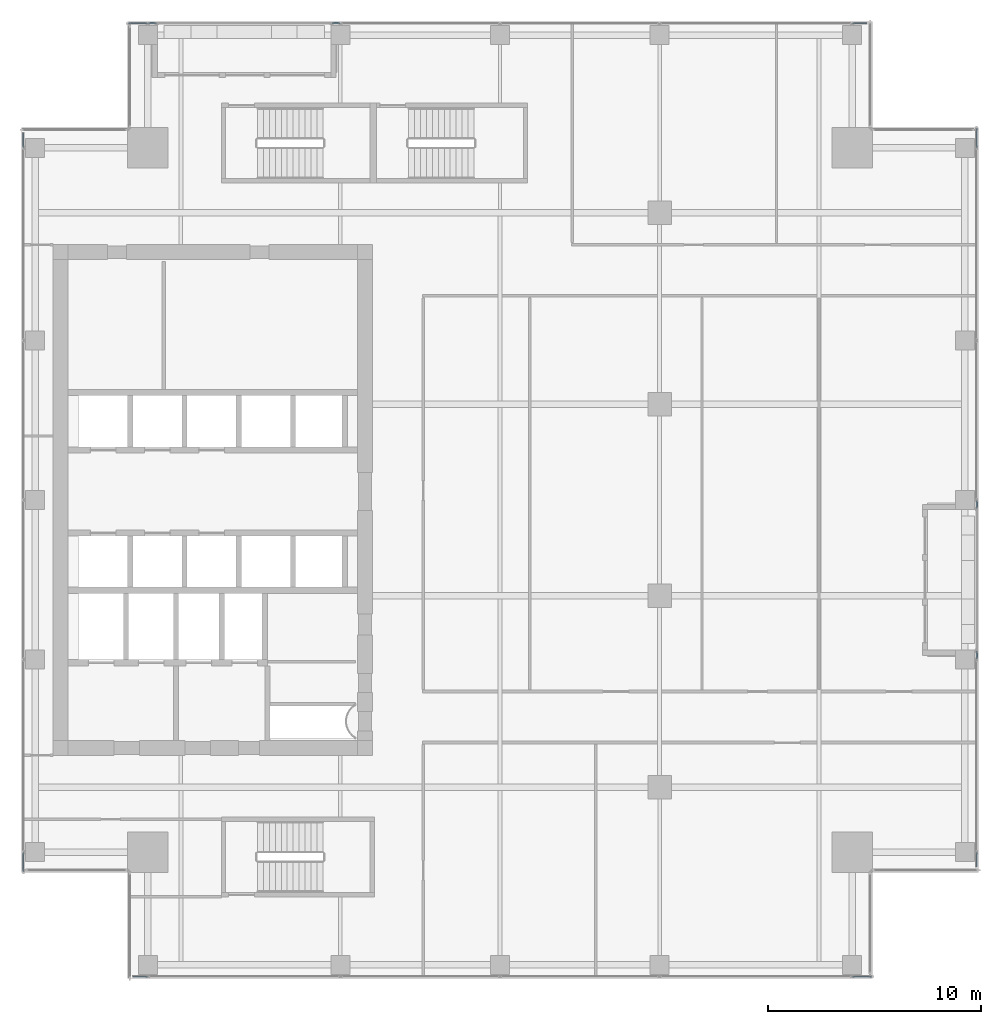
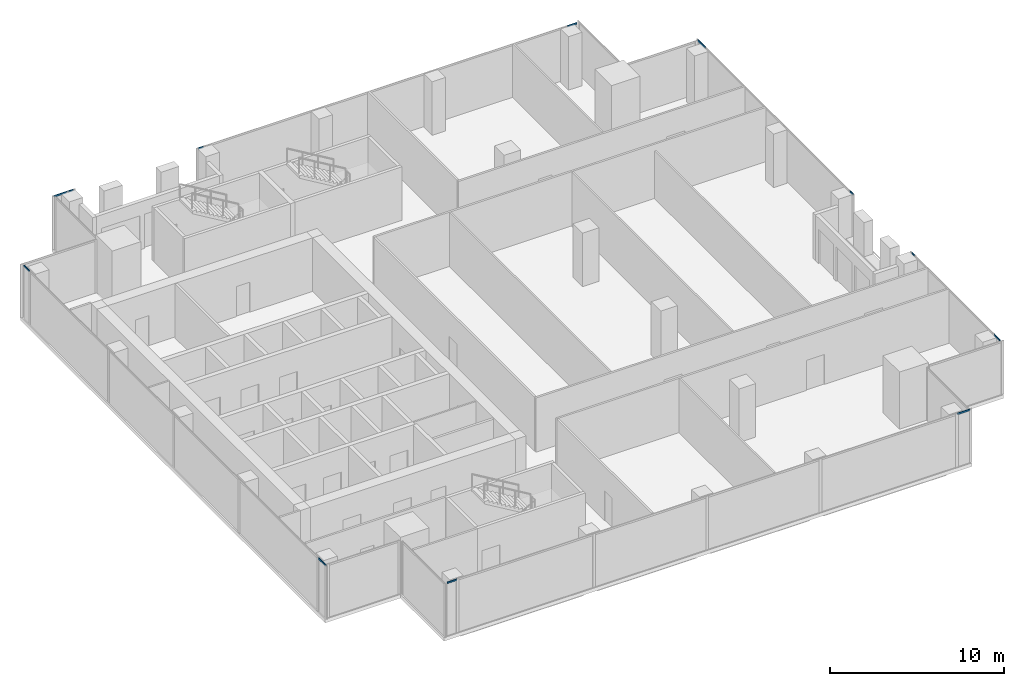
# One storey, part 24 of 35: 12 members, 6 elements without a shape of their own.
"""IFC4 building model written with IfcOpenShell, lengths in metres."""

from ifc_helpers import new_model, si_unit, direction, frame, origin, origin_2d, place, context, subcontext, project, spatial, hollow_rectangle, extrude, source, transform, mapped, material, material_profile, profile_set, type_object, element, aggregate, save


model = new_model("IFC4")

# Units and contexts
model_context = context("Model", 3, precision=1e-05, world=origin(), true_north=direction((0.0, 1.0)))
body_context = subcontext(model_context, "Body", "Model", "MODEL_VIEW")
ifc_project = project(units=[si_unit("LENGTHUNIT", "METRE"), si_unit("AREAUNIT", "SQUARE_METRE"), si_unit("VOLUMEUNIT", "CUBIC_METRE"), si_unit("PLANEANGLEUNIT", "RADIAN"), si_unit("MASSUNIT", "GRAM", prefix="KILO")], contexts=[model_context])

# Site, building, storey
site_placement = place(None, origin())
site = spatial("IfcSite", under=ifc_project, at=site_placement, CompositionType="ELEMENT")
building_placement = place(site_placement, origin())
building = spatial("IfcBuilding", under=site, at=building_placement, Name="Khomas Fold Tower", CompositionType="ELEMENT")
storey_placement = place(building_placement, frame((0.0, 0.0, 262.199951171875)))
storey = spatial("IfcBuildingStorey", under=building, at=storey_placement, Name="L59", CompositionType="ELEMENT", Elevation=262.199951171875)

# Curtain wall, member
ifc_material_1 = material(Name="Aluminium framed double glazing", Category="aluminium")
curtain_wall_type = type_object("IfcCurtainWallType", Name="SK-Unitised clear-glass wall, office floors CW2", PredefinedType="NOTDEFINED", material=ifc_material_1)
curtain_wall_1_placement = place(storey_placement, origin())
curtain_wall_1 = element("IfcCurtainWall", 1, at=curtain_wall_1_placement, inside=storey, type_object=curtain_wall_type, Name="CW2 run L59 00-0", PredefinedType="NOTDEFINED")
ifc_material_2 = material(Name="Aluminium", Category="aluminium")
ifc_material_profile = material_profile(ifc_material_2, hollow_rectangle(XDim=0.050048828125, YDim=0.110107421875, WallThickness=0.00390625, at=origin_2d()), Name="SK-Unitised clear-glass wall, office floors transom CW2-T")
ifc_profile_set = profile_set([ifc_material_profile], Name="Aluminium")
member_type = type_object("IfcMemberType", Name="SK-Unitised clear-glass wall, office floors transom CW2-T", PredefinedType="USERDEFINED", material=ifc_profile_set)
shared_shape_1 = source(origin(), body_context, "Body", "SweptSolid", [
    extrude(hollow_rectangle(XDim=0.050048828125, YDim=0.110107421875, WallThickness=0.00390625, at=origin_2d()), origin(), (0.0, 0.0, 1.0), 0.659912109375),
])
member_1_placement = place(storey_placement, frame((9.760009765625, 4.60009765625, 3.695068359375), z_axis=(1.0, 0.0, 0.0), x_axis=(0.0, 1.0, 0.0)))
member_1 = element("IfcMember", 2, at=member_1_placement, type_object=member_type, Name="CW2 transom 1", ObjectType="TRANSOM", PredefinedType="USERDEFINED", context=body_context, shape_type="MappedRepresentation", body=[
    mapped(shared_shape_1, transform((0.0, 0.0, 0.0))),
])

curtain_wall_2_placement = place(storey_placement, origin())
curtain_wall_2 = element("IfcCurtainWall", 3, at=curtain_wall_2_placement, inside=storey, type_object=curtain_wall_type, Name="CW2 run L59 03-0", PredefinedType="NOTDEFINED")
member_2_placement = place(storey_placement, frame((49.39990234375, 9.760009765625, 3.695068359375), z_axis=(0.0, 1.0, 0.0), x_axis=(-1.0, 0.0, 0.0)))
member_2 = element("IfcMember", 4, at=member_2_placement, type_object=member_type, Name="CW2 transom 1", ObjectType="TRANSOM", PredefinedType="USERDEFINED", context=body_context, shape_type="MappedRepresentation", body=[
    mapped(shared_shape_1, transform((0.0, 0.0, 0.0))),
])

curtain_wall_3_placement = place(storey_placement, origin())
curtain_wall_3 = element("IfcCurtainWall", 5, at=curtain_wall_3_placement, inside=storey, type_object=curtain_wall_type, Name="CW2 run L59 06-0", PredefinedType="NOTDEFINED")
member_3_placement = place(storey_placement, frame((44.239990234375, 49.39990234375, 3.695068359375), z_axis=(-1.0, 0.0, 0.0), x_axis=(0.0, -1.0, 0.0)))
member_3 = element("IfcMember", 6, at=member_3_placement, type_object=member_type, Name="CW2 transom 1", ObjectType="TRANSOM", PredefinedType="USERDEFINED", context=body_context, shape_type="MappedRepresentation", body=[
    mapped(shared_shape_1, transform((0.0, 0.0, 0.0))),
])

curtain_wall_4_placement = place(storey_placement, origin())
curtain_wall_4 = element("IfcCurtainWall", 7, at=curtain_wall_4_placement, inside=storey, type_object=curtain_wall_type, Name="CW2 run L59 09-0", PredefinedType="NOTDEFINED")
member_4_placement = place(storey_placement, frame((4.60009765625, 44.239990234375, 3.695068359375), z_axis=(0.0, -1.0, 0.0), x_axis=(1.0, 0.0, 0.0)))
member_4 = element("IfcMember", 8, at=member_4_placement, type_object=member_type, Name="CW2 transom 1", ObjectType="TRANSOM", PredefinedType="USERDEFINED", context=body_context, shape_type="MappedRepresentation", body=[
    mapped(shared_shape_1, transform((0.0, 0.0, 0.0))),
])

# Member
shared_shape_2 = source(origin(), body_context, "Body", "SweptSolid", [
    extrude(hollow_rectangle(XDim=0.050048828125, YDim=0.110107421875, WallThickness=0.00390625, at=origin_2d()), origin(), (0.0, 0.0, 1.0), 0.85986328125),
])
member_5_placement = place(storey_placement, frame((43.580078125, 4.60009765625, 3.695068359375), z_axis=(1.0, 0.0, 0.0), x_axis=(0.0, 1.0, 0.0)))
member_5 = element("IfcMember", 9, at=member_5_placement, type_object=member_type, Name="CW2 transom 6", ObjectType="TRANSOM", PredefinedType="USERDEFINED", context=body_context, shape_type="MappedRepresentation", body=[
    mapped(shared_shape_2, transform((0.0, 0.0, 0.0))),
])

aggregate(curtain_wall_1, [member_1, member_5])

# Curtain wall, member
curtain_wall_5_placement = place(storey_placement, origin())
curtain_wall_5 = element("IfcCurtainWall", 10, at=curtain_wall_5_placement, inside=storey, type_object=curtain_wall_type, Name="CW2 run L59 03-1", PredefinedType="NOTDEFINED")
member_6_placement = place(storey_placement, frame((49.39990234375, 43.580078125, 3.695068359375), z_axis=(0.0, 1.0, 0.0), x_axis=(-1.0, 0.0, 0.0)))
member_6 = element("IfcMember", 11, at=member_6_placement, type_object=member_type, Name="CW2 transom 4", ObjectType="TRANSOM", PredefinedType="USERDEFINED", context=body_context, shape_type="MappedRepresentation", body=[
    mapped(shared_shape_2, transform((0.0, 0.0, 0.0))),
])

curtain_wall_6_placement = place(storey_placement, origin())
curtain_wall_6 = element("IfcCurtainWall", 12, at=curtain_wall_6_placement, inside=storey, type_object=curtain_wall_type, Name="CW2 run L59 06-1", PredefinedType="NOTDEFINED")
member_7_placement = place(storey_placement, frame((10.419921875, 49.39990234375, 3.695068359375), z_axis=(-1.0, 0.0, 0.0), x_axis=(0.0, -1.0, 0.0)))
member_7 = element("IfcMember", 13, at=member_7_placement, type_object=member_type, Name="CW2 transom 2", ObjectType="TRANSOM", PredefinedType="USERDEFINED", context=body_context, shape_type="MappedRepresentation", body=[
    mapped(shared_shape_2, transform((0.0, 0.0, 0.0))),
])

# Member
member_8_placement = place(storey_placement, frame((4.60009765625, 10.419921875, 3.695068359375), z_axis=(0.0, -1.0, 0.0), x_axis=(1.0, 0.0, 0.0)))
member_8 = element("IfcMember", 14, at=member_8_placement, type_object=member_type, Name="CW2 transom 6", ObjectType="TRANSOM", PredefinedType="USERDEFINED", context=body_context, shape_type="MappedRepresentation", body=[
    mapped(shared_shape_2, transform((0.0, 0.0, 0.0))),
])

aggregate(curtain_wall_4, [member_4, member_8])

shared_shape_3 = source(origin(), body_context, "Body", "SweptSolid", [
    extrude(hollow_rectangle(XDim=0.050048828125, YDim=0.110107421875, WallThickness=0.00390625, at=origin_2d()), origin(), (0.0, 0.0, 1.0), 0.35986328125),
])
member_9_placement = place(storey_placement, frame((49.39990234375, 19.530029296875, 3.695068359375), z_axis=(0.0, 1.0, 0.0), x_axis=(-1.0, 0.0, 0.0)))
member_9 = element("IfcMember", 15, at=member_9_placement, type_object=member_type, Name="CW2 transom 3", ObjectType="TRANSOM", PredefinedType="USERDEFINED", context=body_context, shape_type="MappedRepresentation", body=[
    mapped(shared_shape_3, transform((0.0, 0.0, 0.0))),
])

aggregate(curtain_wall_2, [member_2, member_9])

member_10_placement = place(storey_placement, frame((49.39990234375, 26.610107421875, 3.695068359375), z_axis=(0.0, 1.0, 0.0), x_axis=(-1.0, 0.0, 0.0)))
member_10 = element("IfcMember", 16, at=member_10_placement, type_object=member_type, Name="CW2 transom 1", ObjectType="TRANSOM", PredefinedType="USERDEFINED", context=body_context, shape_type="MappedRepresentation", body=[
    mapped(shared_shape_3, transform((0.0, 0.0, 0.0))),
])

aggregate(curtain_wall_5, [member_10, member_6])

member_11_placement = place(storey_placement, frame((19.469970703125, 49.39990234375, 3.695068359375), z_axis=(-1.0, 0.0, 0.0), x_axis=(0.0, -1.0, 0.0)))
member_11 = element("IfcMember", 17, at=member_11_placement, type_object=member_type, Name="CW2 transom 5", ObjectType="TRANSOM", PredefinedType="USERDEFINED", context=body_context, shape_type="MappedRepresentation", body=[
    mapped(shared_shape_3, transform((0.0, 0.0, 0.0))),
])

aggregate(curtain_wall_3, [member_3, member_11])

shared_shape_4 = source(origin(), body_context, "Body", "SweptSolid", [
    extrude(hollow_rectangle(XDim=0.050048828125, YDim=0.110107421875, WallThickness=0.00390625, at=origin_2d()), origin(), (0.0, 0.0, 1.0), 0.360107421875),
])
member_12_placement = place(storey_placement, frame((10.840087890625, 49.39990234375, 3.695068359375), z_axis=(-1.0, 0.0, 0.0), x_axis=(0.0, -1.0, 0.0)))
member_12 = element("IfcMember", 18, at=member_12_placement, type_object=member_type, Name="CW2 transom 1", ObjectType="TRANSOM", PredefinedType="USERDEFINED", context=body_context, shape_type="MappedRepresentation", body=[
    mapped(shared_shape_4, transform((0.0, 0.0, 0.0))),
])

aggregate(curtain_wall_6, [member_12, member_7])

save(model, "model.ifc")
